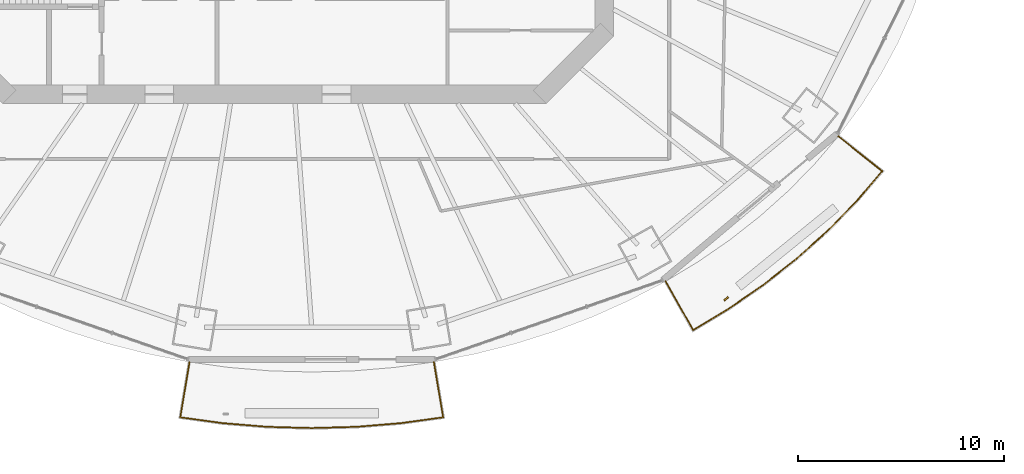
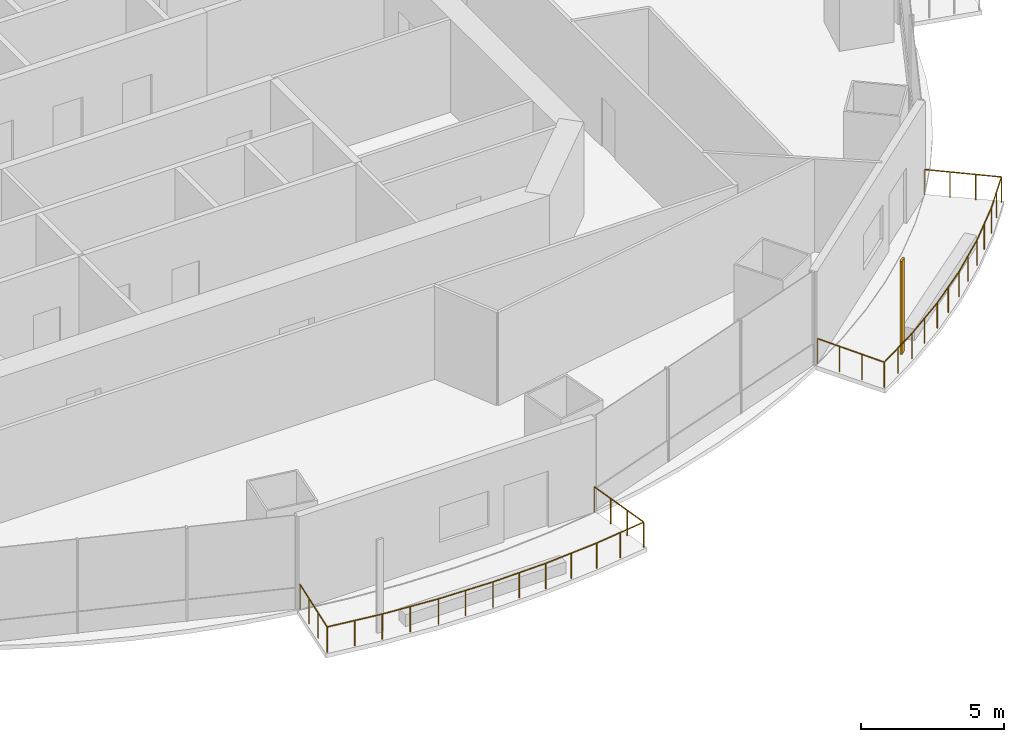
# One storey, part 15 of 19: 2 railings, 1 shading device.
"""IFC4 building model written with IfcOpenShell, lengths in metres."""

import ifcopenshell
import ifcopenshell.guid

model = None  # the IFC model being written
_history = None  # IfcOwnerHistory: only IFC2X3 demands one
_inside = {}  # id of a spatial element -> (the spatial element, [elements in it])
_under = {}  # id of a project, library or spatial element -> (it, [spatial elements below it])
_declared = {}  # id of a project -> (the project, [libraries it declares])
_typed = {}  # id of a type object -> (the type object, [elements of that type])
_made_of = {}  # id of a material, layer set ... -> (it, [elements and type objects made of it])


def new_model(schema):
    """Start an empty IFC model of exactly this schema.

    Asked for "IFC4X3", IfcOpenShell would pick the latest addendum, in which some entities
    have other attributes; the version numbers below select the first issue.
    IFC2X3 requires an IfcOwnerHistory on every rooted entity: one is made here for all.
    """
    global model, _history
    if schema == "IFC4X3":
        model = ifcopenshell.file(schema_version=(4, 3, 0, 0))
    else:
        model = ifcopenshell.file(schema=schema)
    _inside.clear()
    _under.clear()
    _declared.clear()
    _typed.clear()
    _made_of.clear()
    _history = None
    if model.schema == "IFC2X3":
        org = make("IfcOrganization", Name="unknown")
        user = make(
            "IfcPersonAndOrganization",
            ThePerson=make("IfcPerson", FamilyName="unknown"),
            TheOrganization=org,
        )
        app = make(
            "IfcApplication",
            ApplicationDeveloper=org,
            Version="unknown",
            ApplicationFullName="unknown",
            ApplicationIdentifier="unknown",
        )
        _history = make(
            "IfcOwnerHistory",
            OwningUser=user,
            OwningApplication=app,
            ChangeAction="ADDED",
            CreationDate=0,
        )
    return model


def make(cls, **values):
    """One entity of the class cls with the attributes given. An attribute that is None is left unset."""
    return model.create_entity(
        cls, **{name: value for name, value in values.items() if value is not None}
    )


def rooted(cls, **values):
    """An entity with a GlobalId (a new one), such as an element, a storey or a relation."""
    return make(cls, GlobalId=ifcopenshell.guid.new(), OwnerHistory=_history, **values)


def si_unit(unit_type, name, prefix=None):
    """IfcSIUnit, for example si_unit("LENGTHUNIT", "METRE", prefix="MILLI")."""
    return make("IfcSIUnit", UnitType=unit_type, Prefix=prefix, Name=name)


def assignment(units):
    """IfcUnitAssignment: the units of a project."""
    return None if units is None else make("IfcUnitAssignment", Units=units)


def point(xyz):
    """IfcCartesianPoint."""
    return None if xyz is None else make("IfcCartesianPoint", Coordinates=xyz)


def direction(xyz):
    """IfcDirection."""
    return None if xyz is None else make("IfcDirection", DirectionRatios=xyz)


def frame(location, z_axis=None, x_axis=None):
    """IfcAxis2Placement3D, a coordinate frame: its origin and axes. An axis left out is left unset."""
    return make(
        "IfcAxis2Placement3D",
        Location=point(location),
        Axis=direction(z_axis),
        RefDirection=direction(x_axis),
    )


def frame_2d(location, x_axis=None):
    """IfcAxis2Placement2D, a coordinate frame in the plane: its origin and x axis."""
    return make(
        "IfcAxis2Placement2D", Location=point(location), RefDirection=direction(x_axis)
    )


def origin():
    """The frame at (0, 0, 0) with its axes left unset."""
    return frame((0.0, 0.0, 0.0))


def origin_2d():
    """The frame at (0, 0) in the plane with its x axis left unset."""
    return frame_2d((0.0, 0.0))


def place(relative_to, where):
    """IfcLocalPlacement: puts the frame where relative to a parent placement (None: the world)."""
    return make(
        "IfcLocalPlacement", PlacementRelTo=relative_to, RelativePlacement=where
    )


def context(
    kind, dimensions, precision=None, world=None, true_north=None, identifier=None
):
    """IfcGeometricRepresentationContext, for example the 3D "Model" context."""
    return make(
        "IfcGeometricRepresentationContext",
        ContextIdentifier=identifier,
        ContextType=kind,
        CoordinateSpaceDimension=dimensions,
        Precision=precision,
        WorldCoordinateSystem=world,
        TrueNorth=true_north,
    )


def subcontext(parent, identifier, kind, view, scale=None):
    """IfcGeometricRepresentationSubContext, for example "Body" below "Model"."""
    return make(
        "IfcGeometricRepresentationSubContext",
        ContextIdentifier=identifier,
        ContextType=kind,
        ParentContext=parent,
        TargetScale=scale,
        TargetView=view,
    )


def project(units=None, contexts=None):
    """IfcProject with its units and contexts."""
    return rooted(
        "IfcProject",
        Name="project",
        RepresentationContexts=contexts,
        UnitsInContext=assignment(units),
    )


def spatial(cls, under=None, at=None, **own):
    """A site, building, storey or space (cls), placed at a placement, below another one or the project."""
    s = rooted(cls, ObjectPlacement=at, **own)
    if under is not None:
        _under.setdefault(under.id(), (under, []))[1].append(s)
    return s


def profile(cls, at=None, kind="AREA", **sizes):
    """A parametric profile (cls). Its sizes go by their IFC names, for example OverallWidth=200.0."""
    return make(cls, ProfileType=kind, Position=at, **sizes)


def rectangle(**sizes):
    """IfcRectangleProfileDef."""
    return profile("IfcRectangleProfileDef", **sizes)


def circle(**sizes):
    """IfcCircleProfileDef."""
    return profile("IfcCircleProfileDef", **sizes)


def extrude(swept, where, along, depth):
    """IfcExtrudedAreaSolid: the profile swept, set in the frame where, extruded along a direction by depth."""
    return make(
        "IfcExtrudedAreaSolid",
        SweptArea=swept,
        Position=where,
        ExtrudedDirection=direction(along),
        Depth=depth,
    )


def shape(context_of_items, identifier, shape_type, items):
    """IfcShapeRepresentation: the items that make up one representation, for example the "Body"."""
    return make(
        "IfcShapeRepresentation",
        ContextOfItems=context_of_items,
        RepresentationIdentifier=identifier,
        RepresentationType=shape_type,
        Items=items,
    )


def material(Name=None, Category=None):
    """IfcMaterial."""
    return make("IfcMaterial", Name=Name, Category=Category)


def material_profile(
    of_material, cross_section, Name=None, Category=None, Priority=None
):
    """IfcMaterialProfile: a cross section and its material."""
    return make(
        "IfcMaterialProfile",
        Name=Name,
        Material=of_material,
        Profile=cross_section,
        Priority=Priority,
        Category=Category,
    )


def profile_set(profiles, Name=None, composite=None):
    """IfcMaterialProfileSet."""
    return make(
        "IfcMaterialProfileSet",
        Name=Name,
        MaterialProfiles=profiles,
        CompositeProfile=composite,
    )


def made_of(thing, what):
    """Note that an element or type object is made of a material, layer set ...; save() writes the relation."""
    if what is not None:
        _made_of.setdefault(what.id(), (what, []))[1].append(thing)
    return thing


def type_object(cls, material=None, **own):
    """A type object (cls), such as IfcWallType, which elements share."""
    return made_of(rooted(cls, **own), material)


def element(
    cls,
    number,
    at=None,
    inside=None,
    cuts=None,
    type_object=None,
    material=None,
    context=None,
    identifier="Body",
    shape_type=None,
    held_by="IfcProductDefinitionShape",
    body=None,
    shapes=None,
    **own,
):
    """One element of the class cls, such as IfcWall. Its Tag is "e" and its number.

    at: its placement. inside: the storey or other place that contains it. cuts: it is an
    opening in that element (IfcRelVoidsElement). A single representation is given by context,
    identifier, shape_type and body (its items); several are given by shapes. held_by: the class
    of the entity that holds the representations. save() writes the other relations.
    """
    e = rooted(cls, Tag="e%d" % number, ObjectPlacement=at, **own)
    if body is not None:
        shapes = [shape(context, identifier, shape_type, body)]
    if shapes is not None:
        e.Representation = make(held_by, Representations=shapes)
    if inside is not None:
        _inside.setdefault(inside.id(), (inside, []))[1].append(e)
    if cuts is not None:
        rooted(
            "IfcRelVoidsElement", RelatingBuildingElement=cuts, RelatedOpeningElement=e
        )
    if type_object is not None:
        _typed.setdefault(type_object.id(), (type_object, []))[1].append(e)
    return made_of(e, material)


def aggregate(whole, parts):
    """IfcRelAggregates: a whole, such as a stair, and the parts it consists of."""
    return rooted("IfcRelAggregates", RelatingObject=whole, RelatedObjects=parts)


def save(model, path):
    """Write the relations noted so far, then the file.

    IfcRelAggregates (storeys below a building ...), IfcRelContainedInSpatialStructure (elements
    in a storey), IfcRelDefinesByType, IfcRelAssociatesMaterial and IfcRelDeclares: one each for
    every whole, place, type object, material and project.
    """
    for whole, parts in _under.values():
        aggregate(whole, parts)
    for where, things in _inside.values():
        rooted(
            "IfcRelContainedInSpatialStructure",
            RelatedElements=things,
            RelatingStructure=where,
        )
    for kind, things in _typed.values():
        rooted("IfcRelDefinesByType", RelatedObjects=things, RelatingType=kind)
    for what, things in _made_of.values():
        rooted("IfcRelAssociatesMaterial", RelatedObjects=things, RelatingMaterial=what)
    for by, libraries in _declared.values():
        rooted("IfcRelDeclares", RelatingContext=by, RelatedDefinitions=libraries)
    model.write(path)


model = new_model("IFC4")

# Units and contexts
model_context = context("Model", 3, precision=1e-05, world=origin(), true_north=direction((0.0, 1.0)))
body_context = subcontext(model_context, "Body", "Model", "MODEL_VIEW")
ifc_project = project(units=[si_unit("LENGTHUNIT", "METRE"), si_unit("AREAUNIT", "SQUARE_METRE"), si_unit("VOLUMEUNIT", "CUBIC_METRE"), si_unit("PLANEANGLEUNIT", "RADIAN"), si_unit("MASSUNIT", "GRAM", prefix="KILO")], contexts=[model_context])

# Site, building, storey
site_placement = place(None, origin())
site = spatial("IfcSite", under=ifc_project, at=site_placement, CompositionType="ELEMENT")
building_placement = place(site_placement, origin())
building = spatial("IfcBuilding", under=site, at=building_placement, Name="Marenthal Gate Tower", CompositionType="ELEMENT")
storey_placement = place(building_placement, frame((0.0, 0.0, 231.60009765625)))
storey = spatial("IfcBuildingStorey", under=building, at=storey_placement, Name="L51", CompositionType="ELEMENT", Elevation=231.60009765625)

# Railings
ifc_material_1 = material(Name="Stainless steel", Category="steel")
railing_type = type_object("IfcRailingType", Name="Balcony guard 1100", PredefinedType="GUARDRAIL", material=ifc_material_1)
railing_1_placement = place(storey_placement, frame((7.7314453125, -26.000732421875, 0.0)))
element("IfcRailing", 1, at=railing_1_placement, inside=storey, type_object=railing_type, Name="Balcony guard L51 bay 12", PredefinedType="GUARDRAIL", context=body_context, shape_type="SweptSolid", body=[
    extrude(circle(Radius=0.02392578125, at=origin_2d()), frame((0.0, 0.0, 1.076171875), z_axis=(0.164948720809, -0.986192324793, -0.014717948973), x_axis=(0.986299155665, 0.164966589145, 0.0)), (0.0, 0.0, 1.0), 2.720458984375),
    extrude(circle(Radius=0.02392578125, at=origin_2d()), frame((0.44873046875, -2.682861328125, 1.0361328125), z_axis=(-0.990662192704, -0.136339355824, 0.0), x_axis=(0.136339355824, -0.990662192704, 0.0)), (0.0, 0.0, 1.0), 2.0791015625),
    extrude(circle(Radius=0.02392578125, at=origin_2d()), frame((-1.61083984375, -2.96630859375, 1.0361328125), z_axis=(-0.996591524786, -0.082494440564, 0.0), x_axis=(0.082494440564, -0.996591524786, 0.0)), (0.0, 0.0, 1.0), 2.163330078125),
    extrude(circle(Radius=0.02392578125, at=origin_2d()), frame((-3.766845703125, -3.144775390625, 1.0361328125), z_axis=(-0.999621515945, -0.027510450021, 0.0), x_axis=(0.027510450021, -0.999621515945, 0.0)), (0.0, 0.0, 1.0), 2.165283203125),
    extrude(circle(Radius=0.02392578125, at=origin_2d()), frame((-5.931396484375, -3.204345703125, 1.0361328125), z_axis=(-0.999621515945, 0.027510450021, 0.0), x_axis=(-0.027510450021, -0.999621515945, 0.0)), (0.0, 0.0, 1.0), 2.165283203125),
    extrude(circle(Radius=0.02392578125, at=origin_2d()), frame((-8.095947265625, -3.144775390625, 1.0361328125), z_axis=(-0.996591524786, 0.082494440564, 0.0), x_axis=(-0.082494440564, -0.996591524786, 0.0)), (0.0, 0.0, 1.0), 2.163330078125),
    extrude(circle(Radius=0.02392578125, at=origin_2d()), frame((-10.251953125, -2.96630859375, 1.0361328125), z_axis=(-0.990662192704, 0.136339355824, 0.0), x_axis=(-0.136339355824, -0.990662192704, 0.0)), (0.0, 0.0, 1.0), 2.0791015625),
    extrude(circle(Radius=0.02392578125, at=origin_2d()), frame((-12.3115234375, -2.682861328125, 1.0361328125), z_axis=(0.164948720809, 0.986192324793, 0.014717948973), x_axis=(-0.986299155665, 0.164966589145, 0.0)), (0.0, 0.0, 1.0), 2.720458984375),
    extrude(circle(Radius=0.02099609375, at=origin_2d()), origin(), (0.0, 0.0, 1.0), 1.052001953125),
    extrude(circle(Radius=0.02099609375, at=origin_2d()), frame((0.149658203125, -0.894287109375, -0.013427734375)), (0.0, 0.0, 1.0), 1.052001953125),
    extrude(circle(Radius=0.02099609375, at=origin_2d()), frame((0.299072265625, -1.78857421875, -0.026611328125)), (0.0, 0.0, 1.0), 1.052001953125),
    extrude(circle(Radius=0.02099609375, at=origin_2d()), frame((0.44873046875, -2.682861328125, -0.0400390625)), (0.0, 0.0, 1.0), 1.052001953125),
    extrude(circle(Radius=0.02099609375, at=origin_2d()), frame((-0.5810546875, -2.82470703125, -0.0400390625)), (0.0, 0.0, 1.0), 1.052001953125),
    extrude(circle(Radius=0.02099609375, at=origin_2d()), frame((-1.61083984375, -2.96630859375, -0.0400390625)), (0.0, 0.0, 1.0), 1.052001953125),
    extrude(circle(Radius=0.02099609375, at=origin_2d()), frame((-2.68896484375, -3.0556640625, -0.0400390625)), (0.0, 0.0, 1.0), 1.052001953125),
    extrude(circle(Radius=0.02099609375, at=origin_2d()), frame((-3.766845703125, -3.144775390625, -0.0400390625)), (0.0, 0.0, 1.0), 1.052001953125),
    extrude(circle(Radius=0.02099609375, at=origin_2d()), frame((-4.84912109375, -3.174560546875, -0.0400390625)), (0.0, 0.0, 1.0), 1.052001953125),
    extrude(circle(Radius=0.02099609375, at=origin_2d()), frame((-5.931396484375, -3.204345703125, -0.0400390625)), (0.0, 0.0, 1.0), 1.052001953125),
    extrude(circle(Radius=0.02099609375, at=origin_2d()), frame((-7.013671875, -3.174560546875, -0.0400390625)), (0.0, 0.0, 1.0), 1.052001953125),
    extrude(circle(Radius=0.02099609375, at=origin_2d()), frame((-8.095947265625, -3.144775390625, -0.0400390625)), (0.0, 0.0, 1.0), 1.052001953125),
    extrude(circle(Radius=0.02099609375, at=origin_2d()), frame((-9.173828125, -3.0556640625, -0.0400390625)), (0.0, 0.0, 1.0), 1.052001953125),
    extrude(circle(Radius=0.02099609375, at=origin_2d()), frame((-10.251953125, -2.96630859375, -0.0400390625)), (0.0, 0.0, 1.0), 1.052001953125),
    extrude(circle(Radius=0.02099609375, at=origin_2d()), frame((-11.28173828125, -2.82470703125, -0.0400390625)), (0.0, 0.0, 1.0), 1.052001953125),
    extrude(circle(Radius=0.02099609375, at=origin_2d()), frame((-12.3115234375, -2.682861328125, -0.0400390625)), (0.0, 0.0, 1.0), 1.052001953125),
    extrude(circle(Radius=0.02099609375, at=origin_2d()), frame((-12.161865234375, -1.78857421875, -0.026611328125)), (0.0, 0.0, 1.0), 1.052001953125),
    extrude(circle(Radius=0.02099609375, at=origin_2d()), frame((-12.012451171875, -0.894287109375, -0.013427734375)), (0.0, 0.0, 1.0), 1.052001953125),
    extrude(circle(Radius=0.02099609375, at=origin_2d()), frame((-11.86279296875, 0.0, 0.0)), (0.0, 0.0, 1.0), 1.052001953125),
])
railing_2_placement = place(storey_placement, frame((27.3662109375, -15.04345703125, 0.0)))
element("IfcRailing", 2, at=railing_2_placement, inside=storey, type_object=railing_type, Name="Balcony guard L51 bay 14", PredefinedType="GUARDRAIL", context=body_context, shape_type="SweptSolid", body=[
    extrude(circle(Radius=0.02392578125, at=origin_2d()), frame((0.0, 0.0, 1.076171875), z_axis=(0.782855020802, -0.62203005264, -0.014718356461), x_axis=(0.622097438779, 0.78293982953, 0.0)), (0.0, 0.0, 1.0), 2.720458984375),
    extrude(circle(Radius=0.02392578125, at=origin_2d()), frame((2.129638671875, -1.692138671875, 1.0361328125), z_axis=(-0.649961690438, -0.7599669736, 0.0), x_axis=(0.7599669736, -0.649961690438, 0.0)), (0.0, 0.0, 1.0), 1.915283203125),
    extrude(circle(Radius=0.02392578125, at=origin_2d()), frame((0.884765625, -3.147705078125, 1.0361328125), z_axis=(-0.698745300924, -0.715370536461, 0.0), x_axis=(0.715370536461, -0.698745300924, 0.0)), (0.0, 0.0, 1.0), 2.01171875),
    extrude(circle(Radius=0.02392578125, at=origin_2d()), frame((-0.52099609375, -4.5869140625, 1.0361328125), z_axis=(-0.744340445793, -0.667800344981, 0.0), x_axis=(0.667800344981, -0.744340445793, 0.0)), (0.0, 0.0, 1.0), 2.028564453125),
    extrude(circle(Radius=0.02392578125, at=origin_2d()), frame((-2.031005859375, -5.941650390625, 1.0361328125), z_axis=(-0.785792171054, -0.618490633648, 0.0), x_axis=(0.618490633648, -0.785792171054, 0.0)), (0.0, 0.0, 1.0), 2.0458984375),
    extrude(circle(Radius=0.02392578125, at=origin_2d()), frame((-3.638671875, -7.20703125, 1.0361328125), z_axis=(-0.823243306464, -0.567688698462, 0.0), x_axis=(0.567688698462, -0.823243306464, 0.0)), (0.0, 0.0, 1.0), 2.0625),
    extrude(circle(Radius=0.02392578125, at=origin_2d()), frame((-5.336669921875, -8.3779296875, 1.0361328125), z_axis=(-0.856034878553, -0.516918065751, 0.0), x_axis=(0.516918065751, -0.856034878553, 0.0)), (0.0, 0.0, 1.0), 1.999267578125),
    extrude(circle(Radius=0.02392578125, at=origin_2d()), frame((-7.048095703125, -9.411376953125, 1.0361328125), z_axis=(-0.489760652224, 0.871732676388, 0.014718846796), x_axis=(-0.871827119757, -0.489813712809, 0.0)), (0.0, 0.0, 1.0), 2.72021484375),
    extrude(circle(Radius=0.02099609375, at=origin_2d()), origin(), (0.0, 0.0, 1.0), 1.052001953125),
    extrude(circle(Radius=0.02099609375, at=origin_2d()), frame((0.7099609375, -0.56396484375, -0.013427734375)), (0.0, 0.0, 1.0), 1.052001953125),
    extrude(circle(Radius=0.02099609375, at=origin_2d()), frame((1.419677734375, -1.128173828125, -0.026611328125)), (0.0, 0.0, 1.0), 1.052001953125),
    extrude(circle(Radius=0.02099609375, at=origin_2d()), frame((2.129638671875, -1.692138671875, -0.0400390625)), (0.0, 0.0, 1.0), 1.052001953125),
    extrude(circle(Radius=0.02099609375, at=origin_2d()), frame((1.50732421875, -2.419921875, -0.0400390625)), (0.0, 0.0, 1.0), 1.052001953125),
    extrude(circle(Radius=0.02099609375, at=origin_2d()), frame((0.884765625, -3.147705078125, -0.0400390625)), (0.0, 0.0, 1.0), 1.052001953125),
    extrude(circle(Radius=0.02099609375, at=origin_2d()), frame((0.181884765625, -3.8671875, -0.0400390625)), (0.0, 0.0, 1.0), 1.052001953125),
    extrude(circle(Radius=0.02099609375, at=origin_2d()), frame((-0.52099609375, -4.5869140625, -0.0400390625)), (0.0, 0.0, 1.0), 1.052001953125),
    extrude(circle(Radius=0.02099609375, at=origin_2d()), frame((-1.27587890625, -5.26416015625, -0.0400390625)), (0.0, 0.0, 1.0), 1.052001953125),
    extrude(circle(Radius=0.02099609375, at=origin_2d()), frame((-2.031005859375, -5.941650390625, -0.0400390625)), (0.0, 0.0, 1.0), 1.052001953125),
    extrude(circle(Radius=0.02099609375, at=origin_2d()), frame((-2.8349609375, -6.57421875, -0.0400390625)), (0.0, 0.0, 1.0), 1.052001953125),
    extrude(circle(Radius=0.02099609375, at=origin_2d()), frame((-3.638671875, -7.20703125, -0.0400390625)), (0.0, 0.0, 1.0), 1.052001953125),
    extrude(circle(Radius=0.02099609375, at=origin_2d()), frame((-4.48779296875, -7.79248046875, -0.0400390625)), (0.0, 0.0, 1.0), 1.052001953125),
    extrude(circle(Radius=0.02099609375, at=origin_2d()), frame((-5.336669921875, -8.3779296875, -0.0400390625)), (0.0, 0.0, 1.0), 1.052001953125),
    extrude(circle(Radius=0.02099609375, at=origin_2d()), frame((-6.1923828125, -8.89453125, -0.0400390625)), (0.0, 0.0, 1.0), 1.052001953125),
    extrude(circle(Radius=0.02099609375, at=origin_2d()), frame((-7.048095703125, -9.411376953125, -0.0400390625)), (0.0, 0.0, 1.0), 1.052001953125),
    extrude(circle(Radius=0.02099609375, at=origin_2d()), frame((-7.4921875, -8.620849609375, -0.026611328125)), (0.0, 0.0, 1.0), 1.052001953125),
    extrude(circle(Radius=0.02099609375, at=origin_2d()), frame((-7.936279296875, -7.83056640625, -0.013427734375)), (0.0, 0.0, 1.0), 1.052001953125),
    extrude(circle(Radius=0.02099609375, at=origin_2d()), frame((-8.38037109375, -7.0400390625, 0.0)), (0.0, 0.0, 1.0), 1.052001953125),
])

# Shading device
ifc_material_2 = material(Name="Terracotta", Category="masonry")
ifc_material_profile = material_profile(ifc_material_2, rectangle(XDim=0.25, YDim=0.080078125, at=origin_2d()), Name="Terracotta baguette 250x80")
ifc_profile_set = profile_set([ifc_material_profile], Name="Terracotta")
shading_device_type = type_object("IfcShadingDeviceType", Name="Terracotta BAGUETTE SCREEN 250x80", PredefinedType="USERDEFINED", material=ifc_profile_set)
shading_device_placement = place(storey_placement, frame((21.92041015625, -22.927978515625, -0.0400390625), z_axis=(0.0, 0.0, 1.0), x_axis=(0.765550876952, 0.643375360732, 0.0)))
element("IfcShadingDevice", 3, at=shading_device_placement, inside=storey, type_object=shading_device_type, Name="Terracotta BAGUETTE L51 bay 14L", ObjectType="BAGUETTE SCREEN", PredefinedType="USERDEFINED", context=body_context, shape_type="SweptSolid", body=[
    extrude(rectangle(XDim=0.25, YDim=0.080078125, at=origin_2d()), origin(), (0.0, 0.0, 1.0), 3.969970703125),
])

save(model, "model.ifc")
